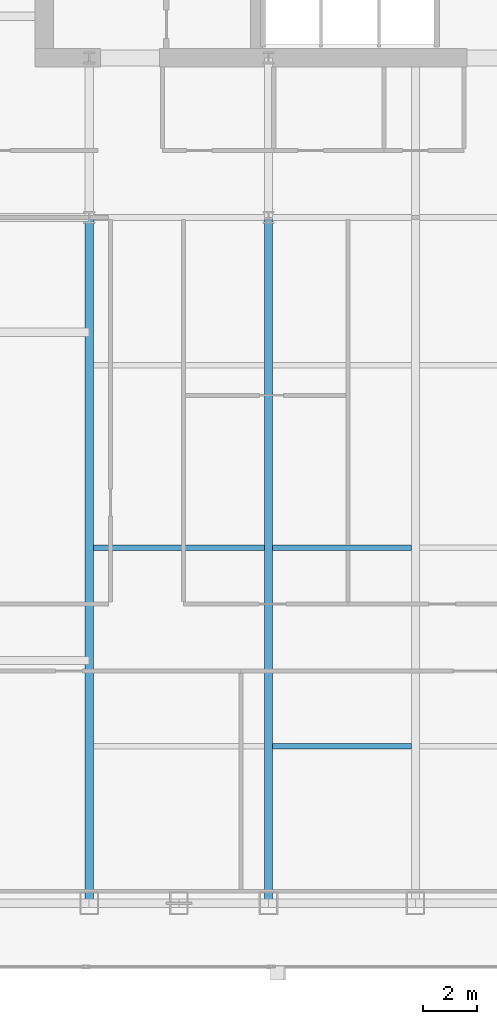
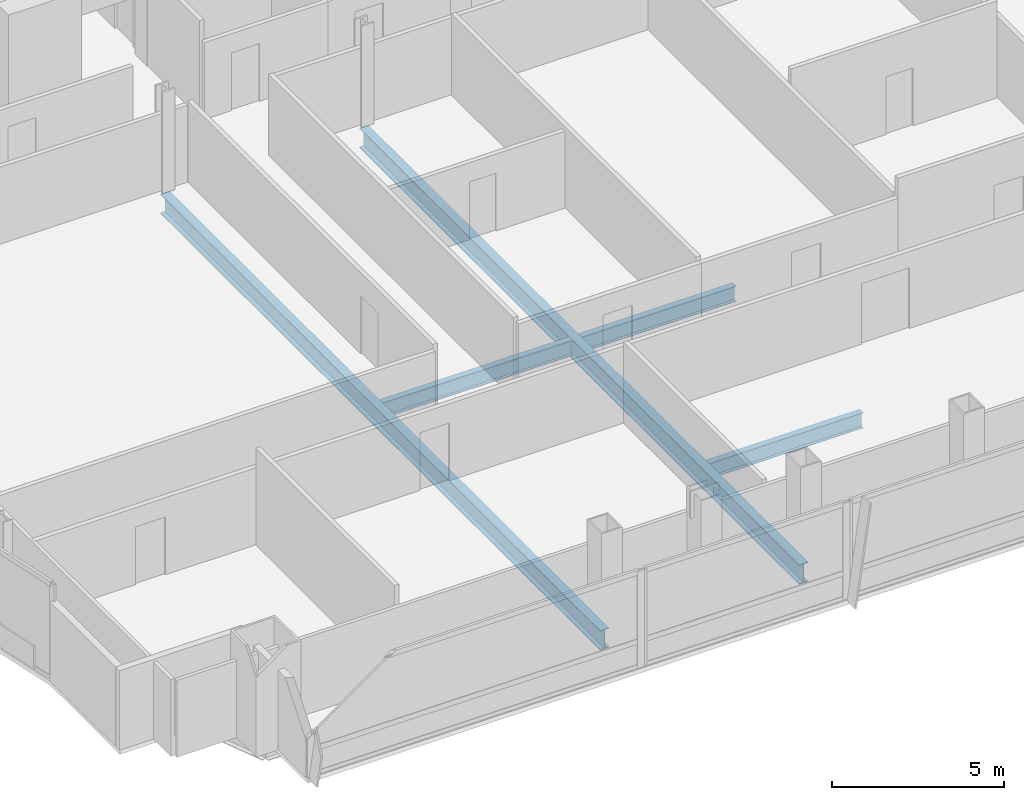
# One storey, part 9 of 33: 5 beams.
"""IFC4 building model written with IfcOpenShell, lengths in metres."""

from ifc_helpers import new_model, si_unit, direction, frame, origin, origin_2d, place, context, subcontext, project, spatial, i_section, extrude, material, material_profile, profile_set, type_object, element, save


model = new_model("IFC4")

# Units and contexts
model_context = context("Model", 3, precision=1e-05, world=origin(), true_north=direction((0.0, 1.0)))
body_context = subcontext(model_context, "Body", "Model", "MODEL_VIEW")
ifc_project = project(units=[si_unit("LENGTHUNIT", "METRE"), si_unit("AREAUNIT", "SQUARE_METRE"), si_unit("VOLUMEUNIT", "CUBIC_METRE"), si_unit("PLANEANGLEUNIT", "RADIAN"), si_unit("MASSUNIT", "GRAM", prefix="KILO")], contexts=[model_context])

# Site, building, storey
site_placement = place(None, origin())
site = spatial("IfcSite", under=ifc_project, at=site_placement, CompositionType="ELEMENT")
building_placement = place(site_placement, origin())
building = spatial("IfcBuilding", under=site, at=building_placement, Name="Khoronbel Lancet Exchange", CompositionType="ELEMENT")
storey_placement = place(building_placement, frame((0.0, 0.0, 114.60009765625)))
storey = spatial("IfcBuildingStorey", under=building, at=storey_placement, Name="L27", CompositionType="ELEMENT", Elevation=114.60009765625)

# Beams
ifc_material = material(Name="Steel S355", Category="steel")
ifc_material_profile_1 = material_profile(ifc_material, i_section(OverallWidth=0.300048828125, OverallDepth=0.699951171875, WebThickness=0.01708984375, FlangeThickness=0.031982421875, at=origin_2d()), Name="HEB 700")
ifc_profile_set_1 = profile_set([ifc_material_profile_1], Name="Steel S355")
beam_type_1 = type_object("IfcBeamType", Name="BM-BG3", PredefinedType="BEAM", material=ifc_profile_set_1)
for number, where, z_axis, x_axis, name in (
    (1, (18.22509765625, 10.14990234375, -0.510009765625), (0.0, 1.0, 0.0), (-1.0, 0.0, 0.0), "Level L27 south primary girder GS1"),
    (2, (24.89990234375, 10.14990234375, -0.510009765625), (0.0, 1.0, 0.0), (-1.0, 0.0, 0.0), "Level L27 south primary girder GS2"),
):
    element("IfcBeam", number, at=place(storey_placement, frame(where, z_axis=z_axis, x_axis=x_axis)), inside=storey, type_object=beam_type_1, Name=name, PredefinedType="BEAM", context=body_context, shape_type="SweptSolid", body=[
        extrude(i_section(OverallWidth=0.300048828125, OverallDepth=0.699951171875, WebThickness=0.01708984375, FlangeThickness=0.031982421875, at=origin_2d()), origin(), (0.0, 0.0, 1.0), 25.550048828125),
    ])
ifc_material_profile_2 = material_profile(ifc_material, i_section(OverallWidth=0.2099609375, OverallDepth=0.550048828125, WebThickness=0.010986328125, FlangeThickness=0.01708984375, at=origin_2d()), Name="IPE 550")
ifc_profile_set_2 = profile_set([ifc_material_profile_2], Name="Steel S355")
beam_type_2 = type_object("IfcBeamType", Name="BM-BJ2", PredefinedType="JOIST", material=ifc_profile_set_2)
beam_1_placement = place(storey_placement, frame((25.050048828125, 16.0, -0.43505859375), z_axis=(1.0, 0.0, 0.0), x_axis=(0.0, 1.0, 0.0)))
element("IfcBeam", 3, at=beam_1_placement, inside=storey, type_object=beam_type_2, Name="Level L27 secondary composite joist J02", PredefinedType="JOIST", context=body_context, shape_type="SweptSolid", body=[
    extrude(i_section(OverallWidth=0.2099609375, OverallDepth=0.550048828125, WebThickness=0.010986328125, FlangeThickness=0.01708984375, at=origin_2d()), origin(), (0.0, 0.0, 1.0), 5.175048828125),
])
beam_2_placement = place(storey_placement, frame((18.375, 23.39990234375, -0.43505859375), z_axis=(1.0, 0.0, 0.0), x_axis=(0.0, 1.0, 0.0)))
element("IfcBeam", 4, at=beam_2_placement, inside=storey, type_object=beam_type_2, Name="Level L27 secondary composite joist J06", PredefinedType="JOIST", context=body_context, shape_type="SweptSolid", body=[
    extrude(i_section(OverallWidth=0.2099609375, OverallDepth=0.550048828125, WebThickness=0.010986328125, FlangeThickness=0.01708984375, at=origin_2d()), origin(), (0.0, 0.0, 1.0), 6.375),
])
beam_3_placement = place(storey_placement, frame((25.050048828125, 23.39990234375, -0.43505859375), z_axis=(1.0, 0.0, 0.0), x_axis=(0.0, 1.0, 0.0)))
element("IfcBeam", 5, at=beam_3_placement, inside=storey, type_object=beam_type_2, Name="Level L27 secondary composite joist J07", PredefinedType="JOIST", context=body_context, shape_type="SweptSolid", body=[
    extrude(i_section(OverallWidth=0.2099609375, OverallDepth=0.550048828125, WebThickness=0.010986328125, FlangeThickness=0.01708984375, at=origin_2d()), origin(), (0.0, 0.0, 1.0), 5.175048828125),
])

save(model, "model.ifc")
